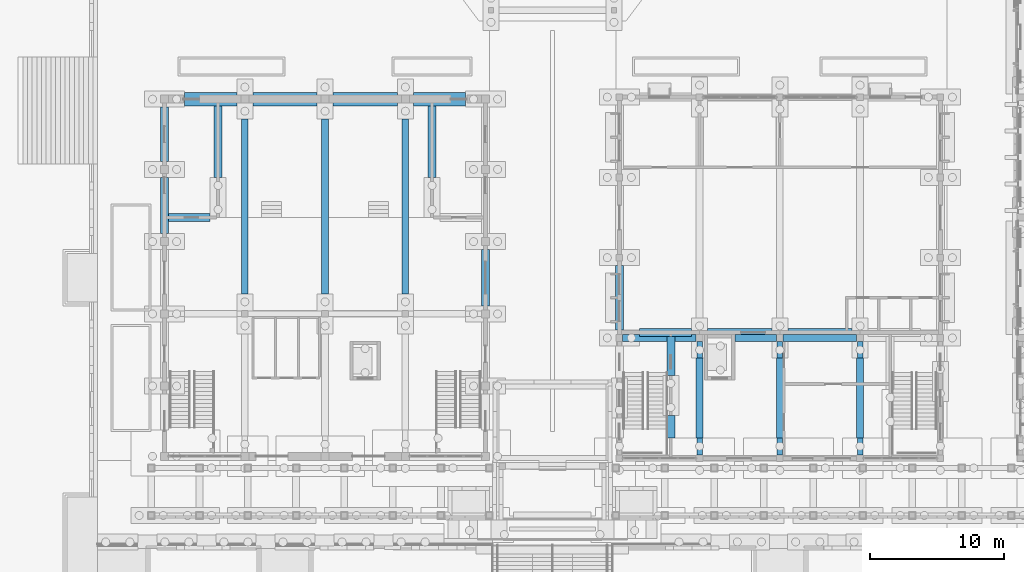
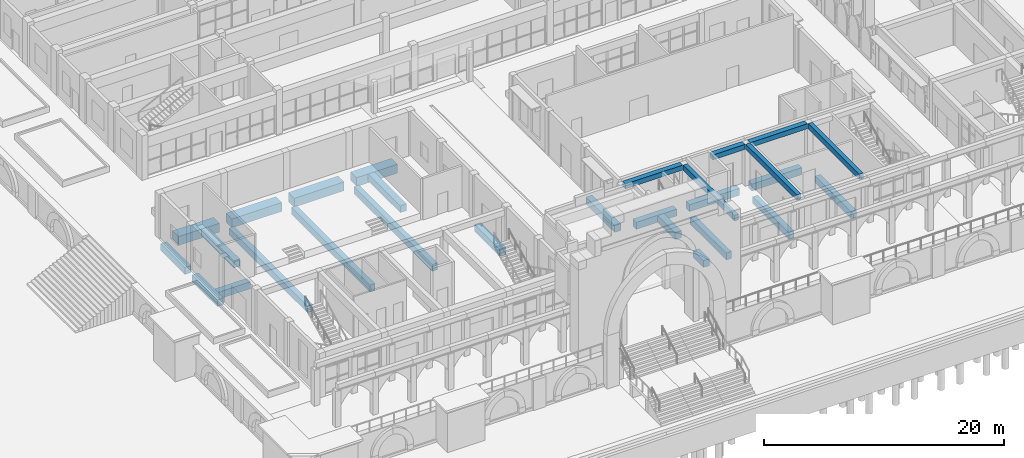
# One storey, part 13 of 161: 28 beams.
"""IFC4 building model written with IfcOpenShell, lengths in metres."""

from ifc_helpers import new_model, si_unit, direction, frame, origin, origin_2d, place, context, subcontext, project, spatial, rectangle, extrude, material, material_profile, profile_set, type_object, element, save


model = new_model("IFC4")

# Units and contexts
model_context = context("Model", 3, precision=1e-05, world=origin(), true_north=direction((0.0, 1.0)))
body_context = subcontext(model_context, "Body", "Model", "MODEL_VIEW")
ifc_project = project(units=[si_unit("LENGTHUNIT", "METRE"), si_unit("AREAUNIT", "SQUARE_METRE"), si_unit("VOLUMEUNIT", "CUBIC_METRE"), si_unit("PLANEANGLEUNIT", "RADIAN"), si_unit("MASSUNIT", "GRAM", prefix="KILO")], contexts=[model_context])

# Site, building, storey
site_placement = place(None, origin())
site = spatial("IfcSite", under=ifc_project, at=site_placement, CompositionType="ELEMENT")
building_placement = place(site_placement, origin())
building = spatial("IfcBuilding", under=site, at=building_placement, Name="Elbe Cascade School", CompositionType="ELEMENT")
storey_placement = place(building_placement, origin())
storey = spatial("IfcBuildingStorey", under=building, at=storey_placement, Name="L00", CompositionType="ELEMENT", Elevation=0.0)

# Beams
ifc_material_1 = material(Name="Concrete C30/37", Category="concrete")
ifc_material_profile_1 = material_profile(ifc_material_1, rectangle(XDim=0.39990234375, YDim=0.550048828125, at=origin_2d()), Name="RC 400x550")
ifc_profile_set_1 = profile_set([ifc_material_profile_1], Name="Concrete C30/37")
beam_type_1 = type_object("IfcBeamType", Name="Assembly hall beam RC 400x550", PredefinedType="BEAM", material=ifc_profile_set_1)
for number, where, z_axis, x_axis, name in (
    (1, (45.0, 6.25, 3.97509765625), (0.0, 1.0, 0.0), (-1.0, 0.0, 0.0), "Assembly hall beam RC 400x550 B21"),
    (2, (51.0, 6.25, 3.97509765625), (0.0, 1.0, 0.0), (-1.0, 0.0, 0.0), "Assembly hall beam RC 400x550 B21"),
    (3, (57.0, 6.25, 3.97509765625), (0.0, 1.0, 0.0), (-1.0, 0.0, 0.0), "Assembly hall beam RC 400x550 B21"),
):
    element("IfcBeam", number, at=place(storey_placement, frame(where, z_axis=z_axis, x_axis=x_axis)), inside=storey, type_object=beam_type_1, Name=name, PredefinedType="BEAM", context=body_context, shape_type="SweptSolid", body=[
        extrude(rectangle(XDim=0.39990234375, YDim=0.550048828125, at=origin_2d()), origin(), (0.0, 0.0, 1.0), 8.5),
    ])
ifc_material_2 = material(Name="Concrete C30/37", Category="concrete")
ifc_material_profile_2 = material_profile(ifc_material_2, rectangle(XDim=0.5, YDim=0.5, at=origin_2d()), Name="RC 500x500")
ifc_profile_set_2 = profile_set([ifc_material_profile_2], Name="Concrete C30/37")
beam_type_2 = type_object("IfcBeamType", Name="Assembly hall beam RC 500x500", PredefinedType="BEAM", material=ifc_profile_set_2)
beam_1_placement = place(storey_placement, frame((39.25, 15.0, 4.0), z_axis=(1.0, 0.0, 0.0), x_axis=(0.0, 1.0, 0.0)))
element("IfcBeam", 4, at=beam_1_placement, inside=storey, type_object=beam_type_2, Name="Assembly hall beam RC 500x500 B20", PredefinedType="BEAM", context=body_context, shape_type="SweptSolid", body=[
    extrude(rectangle(XDim=0.5, YDim=0.5, at=origin_2d()), origin(), (0.0, 0.0, 1.0), 5.5),
])
beam_2_placement = place(storey_placement, frame((47.64990234375, 15.0, 4.0), z_axis=(1.0, 0.0, 0.0), x_axis=(0.0, 1.0, 0.0)))
element("IfcBeam", 5, at=beam_2_placement, inside=storey, type_object=beam_type_2, Name="Assembly hall beam RC 500x500 B20", PredefinedType="BEAM", context=body_context, shape_type="SweptSolid", body=[
    extrude(rectangle(XDim=0.5, YDim=0.5, at=origin_2d()), origin(), (0.0, 0.0, 1.0), 3.10009765625),
])
beam_3_placement = place(storey_placement, frame((51.25, 15.0, 4.0), z_axis=(1.0, 0.0, 0.0), x_axis=(0.0, 1.0, 0.0)))
element("IfcBeam", 6, at=beam_3_placement, inside=storey, type_object=beam_type_2, Name="Assembly hall beam RC 500x500 B20", PredefinedType="BEAM", context=body_context, shape_type="SweptSolid", body=[
    extrude(rectangle(XDim=0.5, YDim=0.5, at=origin_2d()), origin(), (0.0, 0.0, 1.0), 5.5),
])
ifc_material_3 = material(Name="Concrete C30/37", Category="concrete")
ifc_material_profile_3 = material_profile(ifc_material_3, rectangle(XDim=1.0, YDim=0.89990234375, at=origin_2d()), Name="RC 1000x900")
ifc_profile_set_3 = profile_set([ifc_material_profile_3], Name="Concrete C30/37")
beam_type_3 = type_object("IfcBeamType", Name="Found ground beam RC 1000x900", PredefinedType="BEAM", material=ifc_profile_set_3)
beam_4_placement = place(storey_placement, frame((6.5, 32.85009765625, -0.75), z_axis=(1.0, 0.0, 0.0), x_axis=(0.0, 1.0, 0.0)))
element("IfcBeam", 7, at=beam_4_placement, inside=storey, type_object=beam_type_3, Name="Ground beam 036", PredefinedType="BEAM", context=body_context, shape_type="SweptSolid", body=[
    extrude(rectangle(XDim=1.0, YDim=0.89990234375, at=origin_2d()), origin(), (0.0, 0.0, 1.0), 3.89990234375),
])
for number, where, z_axis, x_axis, name in (
    (8, (11.60009765625, 32.85009765625, -0.75), (1.0, 0.0, 0.0), (0.0, 1.0, 0.0), "Ground beam 037"),
    (9, (17.60009765625, 32.85009765625, -0.75), (1.0, 0.0, 0.0), (0.0, 1.0, 0.0), "Ground beam 038"),
):
    element("IfcBeam", number, at=place(storey_placement, frame(where, z_axis=z_axis, x_axis=x_axis)), inside=storey, type_object=beam_type_3, Name=name, PredefinedType="BEAM", context=body_context, shape_type="SweptSolid", body=[
        extrude(rectangle(XDim=1.0, YDim=0.89990234375, at=origin_2d()), origin(), (0.0, 0.0, 1.0), 4.7998046875),
    ])
beam_5_placement = place(storey_placement, frame((23.60009765625, 32.85009765625, -0.75), z_axis=(1.0, 0.0, 0.0), x_axis=(0.0, 1.0, 0.0)))
element("IfcBeam", 10, at=beam_5_placement, inside=storey, type_object=beam_type_3, Name="Ground beam 039", PredefinedType="BEAM", context=body_context, shape_type="SweptSolid", body=[
    extrude(rectangle(XDim=1.0, YDim=0.89990234375, at=origin_2d()), origin(), (0.0, 0.0, 1.0), 3.89990234375),
])
ifc_material_4 = material(Name="Concrete C30/37", Category="concrete")
ifc_material_profile_4 = material_profile(ifc_material_4, rectangle(XDim=0.5, YDim=0.699951171875, at=origin_2d()), Name="RC 500x700")
ifc_profile_set_4 = profile_set([ifc_material_profile_4], Name="Concrete C30/37")
beam_type_4 = type_object("IfcBeamType", Name="Found ground beam RC 500x700", PredefinedType="BEAM", material=ifc_profile_set_4)
for number, where, z_axis, x_axis, name in (
    (11, (11.0, 18.300048828125, -0.64990234375), (0.0, 1.0, 0.0), (-1.0, 0.0, 0.0), "Ground beam 215"),
    (12, (17.0, 18.300048828125, -0.64990234375), (0.0, 1.0, 0.0), (-1.0, 0.0, 0.0), "Ground beam 217"),
    (13, (23.0, 18.300048828125, -0.64990234375), (0.0, 1.0, 0.0), (-1.0, 0.0, 0.0), "Ground beam 219"),
):
    element("IfcBeam", number, at=place(storey_placement, frame(where, z_axis=z_axis, x_axis=x_axis)), inside=storey, type_object=beam_type_4, Name=name, PredefinedType="BEAM", context=body_context, shape_type="SweptSolid", body=[
        extrude(rectangle(XDim=0.5, YDim=0.699951171875, at=origin_2d()), origin(), (0.0, 0.0, 1.0), 13.050048828125),
    ])
for number, where, z_axis, x_axis, name in (
    (14, (45.0, 7.5, -0.64990234375), (0.0, 1.0, 0.0), (-1.0, 0.0, 0.0), "Ground beam 321"),
    (15, (51.0, 7.5, -0.64990234375), (0.0, 1.0, 0.0), (-1.0, 0.0, 0.0), "Ground beam 323"),
    (16, (57.0, 7.5, -0.64990234375), (0.0, 1.0, 0.0), (-1.0, 0.0, 0.0), "Ground beam 325"),
):
    element("IfcBeam", number, at=place(storey_placement, frame(where, z_axis=z_axis, x_axis=x_axis)), inside=storey, type_object=beam_type_4, Name=name, PredefinedType="BEAM", context=body_context, shape_type="SweptSolid", body=[
        extrude(rectangle(XDim=0.5, YDim=0.699951171875, at=origin_2d()), origin(), (0.0, 0.0, 1.0), 6.0),
    ])
ifc_material_5 = material(Name="Concrete C30/37", Category="concrete")
ifc_material_profile_5 = material_profile(ifc_material_5, rectangle(XDim=0.60009765625, YDim=0.699951171875, at=origin_2d()), Name="RC 600x700")
ifc_profile_set_5 = profile_set([ifc_material_profile_5], Name="Concrete C30/37")
beam_type_5 = type_object("IfcBeamType", Name="Found ground beam RC 600x700", PredefinedType="BEAM", material=ifc_profile_set_5)
beam_6_placement = place(storey_placement, frame((39.0, 15.60009765625, -0.64990234375), z_axis=(0.0, 1.0, 0.0), x_axis=(-1.0, 0.0, 0.0)))
element("IfcBeam", 17, at=beam_6_placement, inside=storey, type_object=beam_type_5, Name="Ground beam 104", PredefinedType="BEAM", context=body_context, shape_type="SweptSolid", body=[
    extrude(rectangle(XDim=0.60009765625, YDim=0.699951171875, at=origin_2d()), origin(), (0.0, 0.0, 1.0), 4.7998046875),
])
beam_7_placement = place(storey_placement, frame((29.0, 17.39990234375, -0.64990234375), z_axis=(0.0, 1.0, 0.0), x_axis=(-1.0, 0.0, 0.0)))
element("IfcBeam", 18, at=beam_7_placement, inside=storey, type_object=beam_type_5, Name="Ground beam 113", PredefinedType="BEAM", context=body_context, shape_type="SweptSolid", body=[
    extrude(rectangle(XDim=0.60009765625, YDim=0.699951171875, at=origin_2d()), origin(), (0.0, 0.0, 1.0), 4.2001953125),
])
beam_8_placement = place(storey_placement, frame((5.0, 22.800048828125, -0.64990234375), z_axis=(0.0, 1.0, 0.0), x_axis=(-1.0, 0.0, 0.0)))
element("IfcBeam", 19, at=beam_8_placement, inside=storey, type_object=beam_type_5, Name="Ground beam 119", PredefinedType="BEAM", context=body_context, shape_type="SweptSolid", body=[
    extrude(rectangle(XDim=0.60009765625, YDim=0.699951171875, at=origin_2d()), origin(), (0.0, 0.0, 1.0), 4.199951171875),
])
beam_9_placement = place(storey_placement, frame((5.0, 28.199951171875, -0.64990234375), z_axis=(0.0, 1.0, 0.0), x_axis=(-1.0, 0.0, 0.0)))
element("IfcBeam", 20, at=beam_9_placement, inside=storey, type_object=beam_type_5, Name="Ground beam 120", PredefinedType="BEAM", context=body_context, shape_type="SweptSolid", body=[
    extrude(rectangle(XDim=0.60009765625, YDim=0.699951171875, at=origin_2d()), origin(), (0.0, 0.0, 1.0), 4.050048828125),
])
beam_10_placement = place(storey_placement, frame((40.5, 15.39990234375, -0.64990234375), z_axis=(1.0, 0.0, 0.0), x_axis=(0.0, 1.0, 0.0)))
element("IfcBeam", 21, at=beam_10_placement, inside=storey, type_object=beam_type_5, Name="Ground beam 121", PredefinedType="BEAM", context=body_context, shape_type="SweptSolid", body=[
    extrude(rectangle(XDim=0.60009765625, YDim=0.699951171875, at=origin_2d()), origin(), (0.0, 0.0, 1.0), 3.89990234375),
])
for number, where, z_axis, x_axis, name in (
    (22, (45.60009765625, 15.39990234375, -0.64990234375), (1.0, 0.0, 0.0), (0.0, 1.0, 0.0), "Ground beam 122"),
    (23, (51.60009765625, 15.39990234375, -0.64990234375), (1.0, 0.0, 0.0), (0.0, 1.0, 0.0), "Ground beam 123"),
):
    element("IfcBeam", number, at=place(storey_placement, frame(where, z_axis=z_axis, x_axis=x_axis)), inside=storey, type_object=beam_type_5, Name=name, PredefinedType="BEAM", context=body_context, shape_type="SweptSolid", body=[
        extrude(rectangle(XDim=0.60009765625, YDim=0.699951171875, at=origin_2d()), origin(), (0.0, 0.0, 1.0), 4.7998046875),
    ])
beam_11_placement = place(storey_placement, frame((42.85009765625, 7.5, -0.64990234375), z_axis=(0.0, 1.0, 0.0), x_axis=(-1.0, 0.0, 0.0)))
element("IfcBeam", 24, at=beam_11_placement, inside=storey, type_object=beam_type_5, Name="Ground beam 133", PredefinedType="BEAM", context=body_context, shape_type="SweptSolid", body=[
    extrude(rectangle(XDim=0.60009765625, YDim=0.699951171875, at=origin_2d()), origin(), (0.0, 0.0, 1.0), 1.699951171875),
])
beam_12_placement = place(storey_placement, frame((42.85009765625, 12.199951171875, -0.64990234375), z_axis=(0.0, 1.0, 0.0), x_axis=(-1.0, 0.0, 0.0)))
element("IfcBeam", 25, at=beam_12_placement, inside=storey, type_object=beam_type_5, Name="Ground beam 134", PredefinedType="BEAM", context=body_context, shape_type="SweptSolid", body=[
    extrude(rectangle(XDim=0.60009765625, YDim=0.699951171875, at=origin_2d()), origin(), (0.0, 0.0, 1.0), 2.900146484375),
])
for number, where, z_axis, x_axis, name in (
    (26, (25.0, 27.0, -0.64990234375), (0.0, 1.0, 0.0), (-1.0, 0.0, 0.0), "Ground beam 136"),
    (27, (9.0, 27.0, -0.64990234375), (0.0, 1.0, 0.0), (-1.0, 0.0, 0.0), "Ground beam 137"),
):
    element("IfcBeam", number, at=place(storey_placement, frame(where, z_axis=z_axis, x_axis=x_axis)), inside=storey, type_object=beam_type_5, Name=name, PredefinedType="BEAM", context=body_context, shape_type="SweptSolid", body=[
        extrude(rectangle(XDim=0.60009765625, YDim=0.699951171875, at=origin_2d()), origin(), (0.0, 0.0, 1.0), 5.35009765625),
    ])
beam_13_placement = place(storey_placement, frame((5.300048828125, 24.0, -0.64990234375), z_axis=(1.0, 0.0, 0.0), x_axis=(0.0, 1.0, 0.0)))
element("IfcBeam", 28, at=beam_13_placement, inside=storey, type_object=beam_type_5, Name="Ground beam 169", PredefinedType="BEAM", context=body_context, shape_type="SweptSolid", body=[
    extrude(rectangle(XDim=0.60009765625, YDim=0.699951171875, at=origin_2d()), origin(), (0.0, 0.0, 1.0), 3.099853515625),
])

save(model, "model.ifc")
